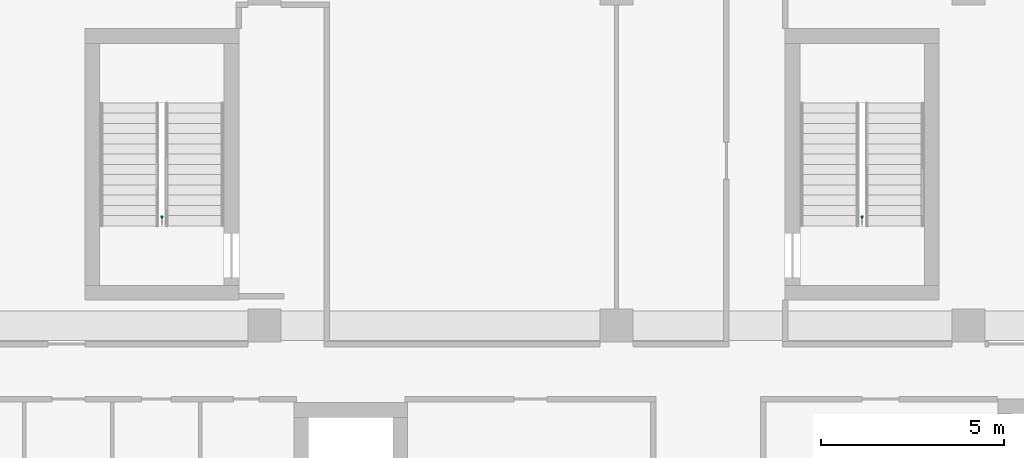
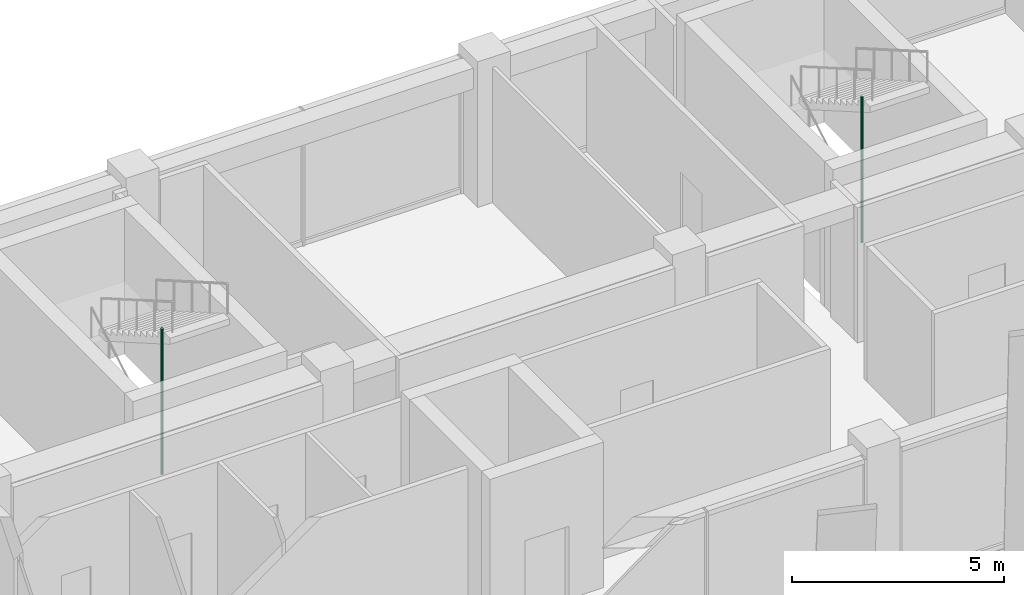
# One storey, part 36 of 38: 2 pipe segments.
"""IFC4 building model written with IfcOpenShell, lengths in metres."""

from ifc_helpers import new_model, si_unit, direction, frame, origin, origin_2d, place, context, subcontext, project, spatial, circle, extrude, element, save


model = new_model("IFC4")

# Units and contexts
model_context = context("Model", 3, precision=1e-05, world=origin(), true_north=direction((0.0, 1.0)))
body_context = subcontext(model_context, "Body", "Model", "MODEL_VIEW")
ifc_project = project(units=[si_unit("LENGTHUNIT", "METRE"), si_unit("AREAUNIT", "SQUARE_METRE"), si_unit("VOLUMEUNIT", "CUBIC_METRE"), si_unit("PLANEANGLEUNIT", "RADIAN"), si_unit("MASSUNIT", "GRAM", prefix="KILO")], contexts=[model_context])

# Site, building, storey
site_placement = place(None, origin())
site = spatial("IfcSite", under=ifc_project, at=site_placement, CompositionType="ELEMENT")
building_placement = place(site_placement, origin())
building = spatial("IfcBuilding", under=site, at=building_placement, Name="Nzadi Deep Aquarium and Research Tower", CompositionType="ELEMENT")
storey_placement = place(building_placement, frame((0.0, 0.0, 48.699951171875)))
storey = spatial("IfcBuildingStorey", under=building, at=storey_placement, Name="L09", CompositionType="ELEMENT", Elevation=48.699951171875)

# Pipe segments
for number, where, z_axis, x_axis, name in (
    (1, (6.800048828125, 39.77001953125, 0.0), (0.0, 0.0, 1.0), (1.0, 0.0, 0.0), "Dry riser ST-Z1-NW L09"),
    (2, (25.89990234375, 39.77001953125, 0.0), (0.0, 0.0, 1.0), (1.0, 0.0, 0.0), "Dry riser ST-Z1-NE L09"),
):
    element("IfcPipeSegment", number, at=place(storey_placement, frame(where, z_axis=z_axis, x_axis=x_axis)), inside=storey, Name=name, PredefinedType="RIGIDSEGMENT", context=body_context, shape_type="SweptSolid", body=[
        extrude(circle(Radius=0.034912109375, at=origin_2d()), origin(), (0.0, 0.0, 1.0), 4.199951171875),
    ])

save(model, "model.ifc")
